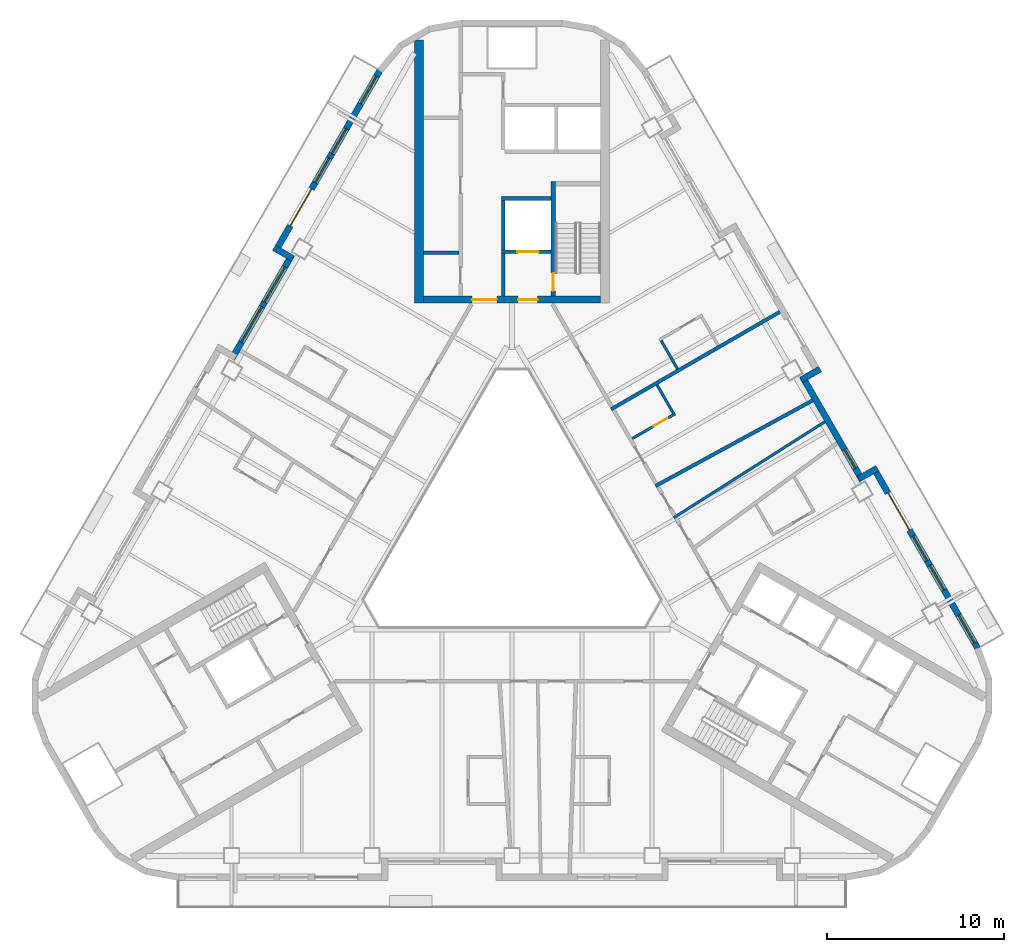
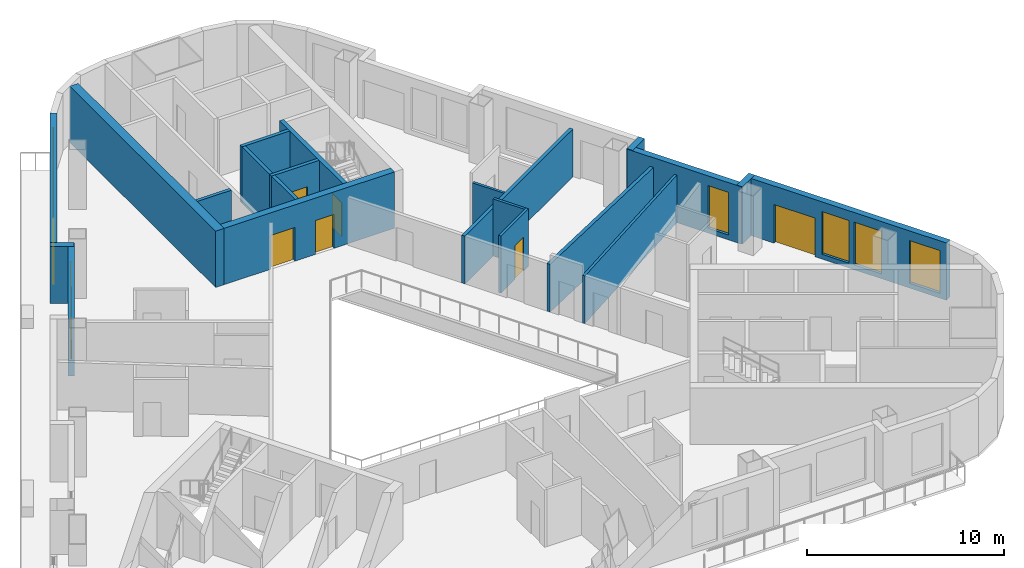
# One storey, part 6 of 14: 21 walls, 9 windows, 7 doors, 16 openings.
"""IFC4 building model written with IfcOpenShell, lengths in metres."""

from ifc_helpers import new_model, si_unit, direction, frame, frame_2d, origin, place, context, subcontext, project, spatial, rectangle, extrude, material, layer, layer_set, type_object, element, fill, save


model = new_model("IFC4")

# Units and contexts
model_context = context("Model", 3, precision=1e-05, world=origin(), true_north=direction((0.0, 1.0)))
body_context = subcontext(model_context, "Body", "Model", "MODEL_VIEW")
ifc_project = project(units=[si_unit("LENGTHUNIT", "METRE"), si_unit("AREAUNIT", "SQUARE_METRE"), si_unit("VOLUMEUNIT", "CUBIC_METRE"), si_unit("PLANEANGLEUNIT", "RADIAN"), si_unit("MASSUNIT", "GRAM", prefix="KILO")], contexts=[model_context])

# Site, building, storey
site_placement = place(None, origin())
site = spatial("IfcSite", under=ifc_project, at=site_placement, CompositionType="ELEMENT")
building_placement = place(site_placement, origin())
building = spatial("IfcBuilding", under=site, at=building_placement, Name="Apuvela Tower Hotel", CompositionType="ELEMENT")
storey_placement = place(building_placement, frame((0.0, 0.0, 109.39990234375)))
storey = spatial("IfcBuildingStorey", under=building, at=storey_placement, Name="L25", CompositionType="ELEMENT", Elevation=109.39990234375)

# Wall, openings, doors
ifc_material_1 = material(Name="Concrete C50/60", Category="concrete")
ifc_layer_1 = layer(ifc_material_1, 0.39990234375)
ifc_layer_set_1 = layer_set([ifc_layer_1], Name="COR-WALL-CORE-400")
wall_type_1 = type_object("IfcWallType", Name="COR-WALL-CORE-400", PredefinedType="SHEAR", material=ifc_layer_set_1)
wall_1_placement = place(storey_placement, frame((5.0, 13.10009765625, 0.0), z_axis=(0.0, 0.0, 1.0), x_axis=(-1.0, 0.0, 0.0)))
wall_1 = element("IfcWall", 1, at=wall_1_placement, inside=storey, type_object=wall_type_1, Name="Core wall N", PredefinedType="SHEAR", context=body_context, shape_type="SweptSolid", body=[
    extrude(rectangle(XDim=10.0, YDim=0.39990234375, at=frame_2d((5.0, 0.0))), origin(), (0.0, 0.0, 1.0), 3.5),
])
opening_1_placement = place(wall_1_placement, frame((3.550048828125, 0.0, 0.0)))
opening_1 = element("IfcOpeningElement", 2, at=opening_1_placement, cuts=wall_1, Name="Opening N-FD", PredefinedType="OPENING", context=body_context, shape_type="SweptSolid", body=[
    extrude(rectangle(XDim=1.10009765625, YDim=2.10009765625, at=frame_2d((0.550048828125, 1.050048828125))), frame((0.0, 0.2099609375, 0.0), z_axis=(0.0, -1.0, 0.0), x_axis=(1.0, 0.0, 0.0)), (0.0, 0.0, 1.0), 0.419921875),
])
opening_2_placement = place(wall_1_placement, frame((5.85009765625, 0.0, 0.0)))
opening_2 = element("IfcOpeningElement", 3, at=opening_2_placement, cuts=wall_1, Name="Opening N-GD", PredefinedType="OPENING", context=body_context, shape_type="SweptSolid", body=[
    extrude(rectangle(XDim=1.39990234375, YDim=2.10009765625, at=frame_2d((0.699951171875, 1.050048828125))), frame((0.0, 0.2099609375, 0.0), z_axis=(0.0, -1.0, 0.0), x_axis=(1.0, 0.0, 0.0)), (0.0, 0.0, 1.0), 0.419921875),
])
ifc_material_2 = material(Name="Steel fire door, powder coated", Category="steel")
door_type_1 = type_object("IfcDoorType", Name="COR-FD-1100", OperationType="NOTDEFINED", PredefinedType="DOOR", material=ifc_material_2)
door_1_placement = place(opening_1_placement, frame((1.10009765625, 0.0, 0.0), z_axis=(0.0, 0.0, 1.0), x_axis=(-1.0, 0.0, 0.0)))
door_1 = element("IfcDoor", 4, at=door_1_placement, inside=storey, type_object=door_type_1, Name="Firefighting lobby door N-FD", OperationType="SINGLE_SWING_LEFT", OverallHeight=2.10009765625, OverallWidth=1.10009765625, PredefinedType="DOOR", context=body_context, shape_type="SweptSolid", body=[
    extrude(rectangle(XDim=1.10009765625, YDim=2.10009765625, at=frame_2d((0.550048828125, 1.050048828125))), frame((0.0, 0.02490234375, 0.0), z_axis=(0.0, -1.0, 0.0), x_axis=(1.0, 0.0, 0.0)), (0.0, 0.0, 1.0), 0.050048828125),
])
fill(opening_1, door_1)
ifc_material_3 = material(Name="Glazed steel fire door", Category="steel")
door_type_2 = type_object("IfcDoorType", Name="COR-GD-1400", OperationType="DOUBLE_DOOR_SINGLE_SWING", PredefinedType="DOOR", material=ifc_material_3)
door_2_placement = place(opening_2_placement, frame((1.39990234375, 0.0, 0.0), z_axis=(0.0, 0.0, 1.0), x_axis=(-1.0, 0.0, 0.0)))
door_2 = element("IfcDoor", 5, at=door_2_placement, inside=storey, type_object=door_type_2, Name="Lift lobby door N-GD", OperationType="DOUBLE_DOOR_SINGLE_SWING", OverallHeight=2.10009765625, OverallWidth=1.39990234375, PredefinedType="DOOR", context=body_context, shape_type="SweptSolid", body=[
    extrude(rectangle(XDim=1.39990234375, YDim=2.10009765625, at=frame_2d((0.699951171875, 1.050048828125))), frame((0.0, 0.02490234375, 0.0), z_axis=(0.0, -1.0, 0.0), x_axis=(1.0, 0.0, 0.0)), (0.0, 0.0, 1.0), 0.050048828125),
])
fill(opening_2, door_2)

# Walls
ifc_layer_2 = layer(ifc_material_1, 0.5)
ifc_layer_set_2 = layer_set([ifc_layer_2], Name="COR-WALL-CORE-500")
wall_type_2 = type_object("IfcWallType", Name="COR-WALL-CORE-500", PredefinedType="SHEAR", material=ifc_layer_set_2)
wall_2_placement = place(storey_placement, frame((-5.25, 12.89990234375, 0.0), z_axis=(0.0, 0.0, 1.0), x_axis=(0.0, 1.0, 0.0)))
element("IfcWall", 6, at=wall_2_placement, inside=storey, type_object=wall_type_2, Name="Core wall N", PredefinedType="SHEAR", context=body_context, shape_type="SweptSolid", body=[
    extrude(rectangle(XDim=14.8369140625, YDim=0.5, at=frame_2d((7.41845703125, 0.0))), origin(), (0.0, 0.0, 1.0), 3.5),
])
ifc_layer_3 = layer(ifc_material_1, 0.199951171875)
ifc_layer_set_3 = layer_set([ifc_layer_3], Name="COR-WALL-SHAFT-200")
wall_type_3 = type_object("IfcWallType", Name="COR-WALL-SHAFT-200", PredefinedType="SHEAR", material=ifc_layer_set_3)
wall_3_placement = place(storey_placement, frame((2.199951171875, 18.800048828125, 0.0), z_axis=(0.0, 0.0, 1.0), x_axis=(-1.0, 0.0, 0.0)))
element("IfcWall", 7, at=wall_3_placement, inside=storey, type_object=wall_type_3, Name="Shaft wall N", PredefinedType="SHEAR", context=body_context, shape_type="SweptSolid", body=[
    extrude(rectangle(XDim=2.800048828125, YDim=0.199951171875, at=frame_2d((1.39990234375, 0.0))), origin(), (0.0, 0.0, 1.0), 3.5),
])

# Wall, opening, door
wall_4_placement = place(storey_placement, frame((2.199951171875, 15.800048828125, 0.0), z_axis=(0.0, 0.0, 1.0), x_axis=(-1.0, 0.0, 0.0)))
wall_4 = element("IfcWall", 8, at=wall_4_placement, inside=storey, type_object=wall_type_3, Name="Shaft wall N", PredefinedType="SHEAR", context=body_context, shape_type="SweptSolid", body=[
    extrude(rectangle(XDim=2.800048828125, YDim=0.199951171875, at=frame_2d((1.39990234375, 0.0))), origin(), (0.0, 0.0, 1.0), 3.5),
])
opening_3_placement = place(wall_4_placement, frame((0.699951171875, 0.0, 0.0)))
opening_3 = element("IfcOpeningElement", 9, at=opening_3_placement, cuts=wall_4, Name="Opening N-LD-FS1", PredefinedType="OPENING", context=body_context, shape_type="SweptSolid", body=[
    extrude(rectangle(XDim=1.199951171875, YDim=2.10009765625, at=frame_2d((0.60009765625, 1.050048828125))), frame((0.0, 0.10986328125, 0.0), z_axis=(0.0, -1.0, 0.0), x_axis=(1.0, 0.0, 0.0)), (0.0, 0.0, 1.0), 0.219970703125),
])
ifc_material_4 = material(Name="Stainless steel lift landing door", Category="steel")
door_type_3 = type_object("IfcDoorType", Name="COR-LD-1200", OperationType="DOUBLE_DOOR_SLIDING", PredefinedType="DOOR", material=ifc_material_4)
door_3_placement = place(opening_3_placement, origin())
door_3 = element("IfcDoor", 10, at=door_3_placement, inside=storey, type_object=door_type_3, Name="Lift landing door N-LD-FS1", OperationType="DOUBLE_DOOR_SLIDING", OverallHeight=2.10009765625, OverallWidth=1.199951171875, PredefinedType="DOOR", context=body_context, shape_type="SweptSolid", body=[
    extrude(rectangle(XDim=1.199951171875, YDim=2.10009765625, at=frame_2d((0.60009765625, 1.050048828125))), frame((0.0, 0.02490234375, 0.0), z_axis=(0.0, -1.0, 0.0), x_axis=(1.0, 0.0, 0.0)), (0.0, 0.0, 1.0), 0.050048828125),
])
fill(opening_3, door_3)

# Walls
wall_5_placement = place(storey_placement, frame((-0.5, 15.89990234375, 0.0), z_axis=(0.0, 0.0, 1.0), x_axis=(0.0, 1.0, 0.0)))
element("IfcWall", 11, at=wall_5_placement, inside=storey, type_object=wall_type_3, Name="Shaft wall N", PredefinedType="SHEAR", context=body_context, shape_type="SweptSolid", body=[
    extrude(rectangle(XDim=2.800048828125, YDim=0.199951171875, at=frame_2d((1.39990234375, 0.0))), origin(), (0.0, 0.0, 1.0), 3.5),
])
wall_6_placement = place(storey_placement, frame((-0.5, 13.300048828125, 0.0), z_axis=(0.0, 0.0, 1.0), x_axis=(0.0, 1.0, 0.0)))
element("IfcWall", 12, at=wall_6_placement, inside=storey, type_object=wall_type_3, Name="Shaft wall N", PredefinedType="SHEAR", context=body_context, shape_type="SweptSolid", body=[
    extrude(rectangle(XDim=2.39990234375, YDim=0.199951171875, at=frame_2d((1.199951171875, 0.0))), origin(), (0.0, 0.0, 1.0), 3.5),
])
wall_7_placement = place(storey_placement, frame((-3.0, 15.739990234375, 0.0), z_axis=(0.0, 0.0, 1.0), x_axis=(-1.0, 0.0, 0.0)))
element("IfcWall", 13, at=wall_7_placement, inside=storey, type_object=wall_type_3, Name="Shaft wall N", PredefinedType="SHEAR", context=body_context, shape_type="SweptSolid", body=[
    extrude(rectangle(XDim=2.0, YDim=0.199951171875, at=frame_2d((1.0, 0.0))), origin(), (0.0, 0.0, 1.0), 3.5),
])

# Wall, opening, door
ifc_layer_4 = layer(ifc_material_1, 0.25)
ifc_layer_set_4 = layer_set([ifc_layer_4], Name="COR-WALL-STAIR-250")
wall_type_4 = type_object("IfcWallType", Name="COR-WALL-STAIR-250", PredefinedType="SHEAR", material=ifc_layer_set_4)
wall_8_placement = place(storey_placement, frame((2.324951171875, 13.300048828125, 0.0), z_axis=(0.0, 0.0, 1.0), x_axis=(0.0, 1.0, 0.0)))
wall_8 = element("IfcWall", 14, at=wall_8_placement, inside=storey, type_object=wall_type_4, Name="Stair wall N", PredefinedType="SHEAR", context=body_context, shape_type="SweptSolid", body=[
    extrude(rectangle(XDim=6.449951171875, YDim=0.25, at=frame_2d((3.22509765625, 0.0))), origin(), (0.0, 0.0, 1.0), 3.5),
])
opening_4_placement = place(wall_8_placement, frame((0.300048828125, 0.0, 0.0)))
opening_4 = element("IfcOpeningElement", 15, at=opening_4_placement, cuts=wall_8, Name="Opening N-SD", PredefinedType="OPENING", context=body_context, shape_type="SweptSolid", body=[
    extrude(rectangle(XDim=1.0, YDim=2.10009765625, at=frame_2d((0.5, 1.050048828125))), frame((0.0, 0.135009765625, 0.0), z_axis=(0.0, -1.0, 0.0), x_axis=(1.0, 0.0, 0.0)), (0.0, 0.0, 1.0), 0.27001953125),
])
door_type_4 = type_object("IfcDoorType", Name="COR-SD-1000", OperationType="NOTDEFINED", PredefinedType="DOOR", material=ifc_material_2)
door_4_placement = place(opening_4_placement, frame((1.0, 0.0, 0.0), z_axis=(0.0, 0.0, 1.0), x_axis=(-1.0, 0.0, 0.0)))
door_4 = element("IfcDoor", 16, at=door_4_placement, inside=storey, type_object=door_type_4, Name="Stair door N-SD", OperationType="SINGLE_SWING_LEFT", OverallHeight=2.10009765625, OverallWidth=1.0, PredefinedType="DOOR", context=body_context, shape_type="SweptSolid", body=[
    extrude(rectangle(XDim=1.0, YDim=2.10009765625, at=frame_2d((0.5, 1.050048828125))), frame((0.0, 0.02490234375, 0.0), z_axis=(0.0, -1.0, 0.0), x_axis=(1.0, 0.0, 0.0)), (0.0, 0.0, 1.0), 0.050048828125),
])
fill(opening_4, door_4)

# Wall, openings, door, windows
ifc_material_5 = material(Name="Concrete C40/50, dark pigmented precast panel", Category="concrete")
ifc_layer_5 = layer(ifc_material_5, 0.35009765625)
ifc_layer_set_5 = layer_set([ifc_layer_5], Name="ENV-WALL-350")
wall_type_5 = type_object("IfcWallType", Name="ENV-WALL-350", PredefinedType="SOLIDWALL", material=ifc_layer_set_5)
wall_9_placement = place(storey_placement, frame((-7.440673828125, 26.0224609375, 0.0), z_axis=(0.0, 0.0, 1.0), x_axis=(-0.499992533062, -0.86602971478, 0.0)))
wall_9 = element("IfcWall", 17, at=wall_9_placement, inside=storey, type_object=wall_type_5, Name="External wall L25-01", PredefinedType="SOLIDWALL", context=body_context, shape_type="SweptSolid", body=[
    extrude(rectangle(XDim=11.815673828125, YDim=0.35009765625, at=frame_2d((5.90771484375, 0.0))), origin(), (0.0, 0.0, 1.0), 3.550048828125),
])
opening_5_placement = place(wall_9_placement, frame((0.381103515625, 0.0, 0.300048828125)))
opening_5 = element("IfcOpeningElement", 18, at=opening_5_placement, cuts=wall_9, Name="Opening WN18", PredefinedType="OPENING", context=body_context, shape_type="SweptSolid", body=[
    extrude(rectangle(XDim=1.800048828125, YDim=2.64990234375, at=frame_2d((0.89990234375, 1.324951171875))), frame((0.0, 0.18505859375, 0.0), z_axis=(0.0, -1.0, 0.0), x_axis=(1.0, 0.0, 0.0)), (0.0, 0.0, 1.0), 0.3701171875),
])
opening_6_placement = place(wall_9_placement, frame((7.7158203125, 0.0, 0.0)))
opening_6 = element("IfcOpeningElement", 19, at=opening_6_placement, cuts=wall_9, Name="Opening BD24", PredefinedType="OPENING", context=body_context, shape_type="SweptSolid", body=[
    extrude(rectangle(XDim=2.39990234375, YDim=2.39990234375, at=frame_2d((1.199951171875, 1.199951171875))), frame((0.0, 0.18505859375, 0.0), z_axis=(0.0, -1.0, 0.0), x_axis=(1.0, 0.0, 0.0)), (0.0, 0.0, 1.0), 0.3701171875),
])
opening_7_placement = place(wall_9_placement, frame((3.815185546875, 0.0, 0.300048828125)))
opening_7 = element("IfcOpeningElement", 20, at=opening_7_placement, cuts=wall_9, Name="Opening WN16", PredefinedType="OPENING", context=body_context, shape_type="SweptSolid", body=[
    extrude(rectangle(XDim=1.60009765625, YDim=2.64990234375, at=frame_2d((0.800048828125, 1.324951171875))), frame((0.0, 0.18505859375, 0.0), z_axis=(0.0, -1.0, 0.0), x_axis=(1.0, 0.0, 0.0)), (0.0, 0.0, 1.0), 0.3701171875),
])
opening_8_placement = place(wall_9_placement, frame((5.715087890625, 0.0, 0.300048828125)))
opening_8 = element("IfcOpeningElement", 21, at=opening_8_placement, cuts=wall_9, Name="Opening WN16", PredefinedType="OPENING", context=body_context, shape_type="SweptSolid", body=[
    extrude(rectangle(XDim=1.60009765625, YDim=2.64990234375, at=frame_2d((0.800048828125, 1.324951171875))), frame((0.0, 0.18505859375, 0.0), z_axis=(0.0, -1.0, 0.0), x_axis=(1.0, 0.0, 0.0)), (0.0, 0.0, 1.0), 0.3701171875),
])
ifc_material_6 = material(Name="Aluminium 6063-T6, dark bronze anodised frame with dark tinted laminated glass", Category="aluminium")
door_type_5 = type_object("IfcDoorType", Name="ENV-DOOR-BALCONY-2400x2400", OperationType="SLIDING_TO_LEFT", PredefinedType="DOOR", material=ifc_material_6)
door_5_placement = place(opening_6_placement, frame((2.39990234375, 0.0, 0.0), z_axis=(0.0, 0.0, 1.0), x_axis=(-1.0, 0.0, 0.0)))
door_5 = element("IfcDoor", 22, at=door_5_placement, inside=storey, type_object=door_type_5, Name="Balcony door BD24", OperationType="SLIDING_TO_LEFT", OverallHeight=2.39990234375, OverallWidth=2.39990234375, PredefinedType="DOOR", context=body_context, shape_type="SweptSolid", body=[
    extrude(rectangle(XDim=2.39990234375, YDim=2.39990234375, at=frame_2d((1.199951171875, 1.199951171875))), frame((0.0, 0.02490234375, 0.0), z_axis=(0.0, -1.0, 0.0), x_axis=(1.0, 0.0, 0.0)), (0.0, 0.0, 1.0), 0.050048828125),
])
fill(opening_6, door_5)
ifc_material_7 = material(Name="Glass, dark tinted laminated insulated glazing unit", Category="glass")
window_type_1 = type_object("IfcWindowType", Name="ENV-WIN-1600x2650", PartitioningType="SINGLE_PANEL", PredefinedType="WINDOW", material=ifc_material_7)
window_1_placement = place(opening_7_placement, origin())
window_1 = element("IfcWindow", 23, at=window_1_placement, inside=storey, type_object=window_type_1, Name="Window WN16", OverallHeight=2.64990234375, OverallWidth=1.60009765625, PartitioningType="SINGLE_PANEL", PredefinedType="WINDOW", context=body_context, shape_type="SweptSolid", body=[
    extrude(rectangle(XDim=1.60009765625, YDim=2.64990234375, at=frame_2d((0.800048828125, 1.324951171875))), frame((0.0, 0.030029296875, 0.0), z_axis=(0.0, -1.0, 0.0), x_axis=(1.0, 0.0, 0.0)), (0.0, 0.0, 1.0), 0.06005859375),
])
fill(opening_7, window_1)
window_2_placement = place(opening_8_placement, origin())
window_2 = element("IfcWindow", 24, at=window_2_placement, inside=storey, type_object=window_type_1, Name="Window WN16", OverallHeight=2.64990234375, OverallWidth=1.60009765625, PartitioningType="SINGLE_PANEL", PredefinedType="WINDOW", context=body_context, shape_type="SweptSolid", body=[
    extrude(rectangle(XDim=1.60009765625, YDim=2.64990234375, at=frame_2d((0.800048828125, 1.324951171875))), frame((0.0, 0.030029296875, 0.0), z_axis=(0.0, -1.0, 0.0), x_axis=(1.0, 0.0, 0.0)), (0.0, 0.0, 1.0), 0.06005859375),
])
fill(opening_8, window_2)
window_type_2 = type_object("IfcWindowType", Name="ENV-WIN-1800x2650", PartitioningType="SINGLE_PANEL", PredefinedType="WINDOW", material=ifc_material_7)
window_3_placement = place(opening_5_placement, origin())
window_3 = element("IfcWindow", 25, at=window_3_placement, inside=storey, type_object=window_type_2, Name="Window WN18", OverallHeight=2.64990234375, OverallWidth=1.800048828125, PartitioningType="SINGLE_PANEL", PredefinedType="WINDOW", context=body_context, shape_type="SweptSolid", body=[
    extrude(rectangle(XDim=1.800048828125, YDim=2.64990234375, at=frame_2d((0.89990234375, 1.324951171875))), frame((0.0, 0.030029296875, 0.0), z_axis=(0.0, -1.0, 0.0), x_axis=(1.0, 0.0, 0.0)), (0.0, 0.0, 1.0), 0.06005859375),
])
fill(opening_5, window_3)

# Wall
wall_10_placement = place(storey_placement, frame((-13.41259765625, 16.02880859375, 0.0), z_axis=(0.0, 0.0, 1.0), x_axis=(0.866005645448, -0.500034220881, 0.0)))
element("IfcWall", 26, at=wall_10_placement, inside=storey, type_object=wall_type_5, Name="External wall L25-02", PredefinedType="SOLIDWALL", context=body_context, shape_type="SweptSolid", body=[
    extrude(rectangle(XDim=1.22021484375, YDim=0.35009765625, at=frame_2d((0.610107421875, 0.0))), origin(), (0.0, 0.0, 1.0), 3.550048828125),
])

# Wall, openings, windows
wall_11_placement = place(storey_placement, frame((-12.408935546875, 15.616943359375, 0.0), z_axis=(0.0, 0.0, 1.0), x_axis=(-0.500003597184, -0.866023326939, 0.0)))
wall_11 = element("IfcWall", 27, at=wall_11_placement, inside=storey, type_object=wall_type_5, Name="External wall L25-03", PredefinedType="SOLIDWALL", context=body_context, shape_type="SweptSolid", body=[
    extrude(rectangle(XDim=6.740234375, YDim=0.35009765625, at=frame_2d((3.3701171875, 0.0))), origin(), (0.0, 0.0, 1.0), 3.550048828125),
])
opening_9_placement = place(wall_11_placement, frame((0.77001953125, 0.0, 0.300048828125)))
opening_9 = element("IfcOpeningElement", 28, at=opening_9_placement, cuts=wall_11, Name="Opening WN23", PredefinedType="OPENING", context=body_context, shape_type="SweptSolid", body=[
    extrude(rectangle(XDim=2.300048828125, YDim=2.64990234375, at=frame_2d((1.14990234375, 1.324951171875))), frame((0.0, 0.18505859375, 0.0), z_axis=(0.0, -1.0, 0.0), x_axis=(1.0, 0.0, 0.0)), (0.0, 0.0, 1.0), 0.3701171875),
])
opening_10_placement = place(wall_11_placement, frame((3.3701171875, 0.0, 0.300048828125)))
opening_10 = element("IfcOpeningElement", 29, at=opening_10_placement, cuts=wall_11, Name="Opening WN23", PredefinedType="OPENING", context=body_context, shape_type="SweptSolid", body=[
    extrude(rectangle(XDim=2.300048828125, YDim=2.64990234375, at=frame_2d((1.14990234375, 1.324951171875))), frame((0.0, 0.18505859375, 0.0), z_axis=(0.0, -1.0, 0.0), x_axis=(1.0, 0.0, 0.0)), (0.0, 0.0, 1.0), 0.3701171875),
])
window_type_3 = type_object("IfcWindowType", Name="ENV-WIN-2300x2650", PartitioningType="SINGLE_PANEL", PredefinedType="WINDOW", material=ifc_material_7)
window_4_placement = place(opening_9_placement, origin())
window_4 = element("IfcWindow", 30, at=window_4_placement, inside=storey, type_object=window_type_3, Name="Window WN23", OverallHeight=2.64990234375, OverallWidth=2.300048828125, PartitioningType="SINGLE_PANEL", PredefinedType="WINDOW", context=body_context, shape_type="SweptSolid", body=[
    extrude(rectangle(XDim=2.300048828125, YDim=2.64990234375, at=frame_2d((1.14990234375, 1.324951171875))), frame((0.0, 0.030029296875, 0.0), z_axis=(0.0, -1.0, 0.0), x_axis=(1.0, 0.0, 0.0)), (0.0, 0.0, 1.0), 0.06005859375),
])
fill(opening_9, window_4)
window_5_placement = place(opening_10_placement, origin())
window_5 = element("IfcWindow", 31, at=window_5_placement, inside=storey, type_object=window_type_3, Name="Window WN23", OverallHeight=2.64990234375, OverallWidth=2.300048828125, PartitioningType="SINGLE_PANEL", PredefinedType="WINDOW", context=body_context, shape_type="SweptSolid", body=[
    extrude(rectangle(XDim=2.300048828125, YDim=2.64990234375, at=frame_2d((1.14990234375, 1.324951171875))), frame((0.0, 0.030029296875, 0.0), z_axis=(0.0, -1.0, 0.0), x_axis=(1.0, 0.0, 0.0)), (0.0, 0.0, 1.0), 0.06005859375),
])
fill(opening_10, window_5)

# Wall, openings, door, windows
wall_12_placement = place(storey_placement, frame((26.256591796875, -6.5673828125, 0.0), z_axis=(0.0, 0.0, 1.0), x_axis=(-0.500023526245, 0.866011820475, 0.0)))
wall_12 = element("IfcWall", 32, at=wall_12_placement, inside=storey, type_object=wall_type_5, Name="External wall L25-33", PredefinedType="SOLIDWALL", context=body_context, shape_type="SweptSolid", body=[
    extrude(rectangle(XDim=11.81591796875, YDim=0.35009765625, at=frame_2d((5.907958984375, 0.0))), origin(), (0.0, 0.0, 1.0), 3.550048828125),
])
opening_11_placement = place(wall_12_placement, frame((0.380126953125, 0.0, 0.300048828125)))
opening_11 = element("IfcOpeningElement", 33, at=opening_11_placement, cuts=wall_12, Name="Opening WN18", PredefinedType="OPENING", context=body_context, shape_type="SweptSolid", body=[
    extrude(rectangle(XDim=1.800048828125, YDim=2.64990234375, at=frame_2d((0.89990234375, 1.324951171875))), frame((0.0, 0.18505859375, 0.0), z_axis=(0.0, -1.0, 0.0), x_axis=(1.0, 0.0, 0.0)), (0.0, 0.0, 1.0), 0.3701171875),
])
opening_12_placement = place(wall_12_placement, frame((7.71630859375, 0.0, 0.0)))
opening_12 = element("IfcOpeningElement", 34, at=opening_12_placement, cuts=wall_12, Name="Opening BD24", PredefinedType="OPENING", context=body_context, shape_type="SweptSolid", body=[
    extrude(rectangle(XDim=2.39990234375, YDim=2.39990234375, at=frame_2d((1.199951171875, 1.199951171875))), frame((0.0, 0.18505859375, 0.0), z_axis=(0.0, -1.0, 0.0), x_axis=(1.0, 0.0, 0.0)), (0.0, 0.0, 1.0), 0.3701171875),
])
opening_13_placement = place(wall_12_placement, frame((3.81591796875, 0.0, 0.300048828125)))
opening_13 = element("IfcOpeningElement", 35, at=opening_13_placement, cuts=wall_12, Name="Opening WN16", PredefinedType="OPENING", context=body_context, shape_type="SweptSolid", body=[
    extrude(rectangle(XDim=1.60009765625, YDim=2.64990234375, at=frame_2d((0.800048828125, 1.324951171875))), frame((0.0, 0.18505859375, 0.0), z_axis=(0.0, -1.0, 0.0), x_axis=(1.0, 0.0, 0.0)), (0.0, 0.0, 1.0), 0.3701171875),
])
opening_14_placement = place(wall_12_placement, frame((5.7158203125, 0.0, 0.300048828125)))
opening_14 = element("IfcOpeningElement", 36, at=opening_14_placement, cuts=wall_12, Name="Opening WN16", PredefinedType="OPENING", context=body_context, shape_type="SweptSolid", body=[
    extrude(rectangle(XDim=1.60009765625, YDim=2.64990234375, at=frame_2d((0.800048828125, 1.324951171875))), frame((0.0, 0.18505859375, 0.0), z_axis=(0.0, -1.0, 0.0), x_axis=(1.0, 0.0, 0.0)), (0.0, 0.0, 1.0), 0.3701171875),
])
door_6_placement = place(opening_12_placement, frame((2.39990234375, 0.0, 0.0), z_axis=(0.0, 0.0, 1.0), x_axis=(-1.0, 0.0, 0.0)))
door_6 = element("IfcDoor", 37, at=door_6_placement, inside=storey, type_object=door_type_5, Name="Balcony door BD24", OperationType="SLIDING_TO_LEFT", OverallHeight=2.39990234375, OverallWidth=2.39990234375, PredefinedType="DOOR", context=body_context, shape_type="SweptSolid", body=[
    extrude(rectangle(XDim=2.39990234375, YDim=2.39990234375, at=frame_2d((1.199951171875, 1.199951171875))), frame((0.0, 0.02490234375, 0.0), z_axis=(0.0, -1.0, 0.0), x_axis=(1.0, 0.0, 0.0)), (0.0, 0.0, 1.0), 0.050048828125),
])
fill(opening_12, door_6)
window_6_placement = place(opening_13_placement, origin())
window_6 = element("IfcWindow", 38, at=window_6_placement, inside=storey, type_object=window_type_1, Name="Window WN16", OverallHeight=2.64990234375, OverallWidth=1.60009765625, PartitioningType="SINGLE_PANEL", PredefinedType="WINDOW", context=body_context, shape_type="SweptSolid", body=[
    extrude(rectangle(XDim=1.60009765625, YDim=2.64990234375, at=frame_2d((0.800048828125, 1.324951171875))), frame((0.0, 0.030029296875, 0.0), z_axis=(0.0, -1.0, 0.0), x_axis=(1.0, 0.0, 0.0)), (0.0, 0.0, 1.0), 0.06005859375),
])
fill(opening_13, window_6)
window_7_placement = place(opening_14_placement, origin())
window_7 = element("IfcWindow", 39, at=window_7_placement, inside=storey, type_object=window_type_1, Name="Window WN16", OverallHeight=2.64990234375, OverallWidth=1.60009765625, PartitioningType="SINGLE_PANEL", PredefinedType="WINDOW", context=body_context, shape_type="SweptSolid", body=[
    extrude(rectangle(XDim=1.60009765625, YDim=2.64990234375, at=frame_2d((0.800048828125, 1.324951171875))), frame((0.0, 0.030029296875, 0.0), z_axis=(0.0, -1.0, 0.0), x_axis=(1.0, 0.0, 0.0)), (0.0, 0.0, 1.0), 0.06005859375),
])
fill(opening_14, window_7)
window_8_placement = place(opening_11_placement, origin())
window_8 = element("IfcWindow", 40, at=window_8_placement, inside=storey, type_object=window_type_2, Name="Window WN18", OverallHeight=2.64990234375, OverallWidth=1.800048828125, PartitioningType="SINGLE_PANEL", PredefinedType="WINDOW", context=body_context, shape_type="SweptSolid", body=[
    extrude(rectangle(XDim=1.800048828125, YDim=2.64990234375, at=frame_2d((0.89990234375, 1.324951171875))), frame((0.0, 0.030029296875, 0.0), z_axis=(0.0, -1.0, 0.0), x_axis=(1.0, 0.0, 0.0)), (0.0, 0.0, 1.0), 0.06005859375),
])
fill(opening_11, window_8)

# Wall
wall_13_placement = place(storey_placement, frame((20.587646484375, 3.601318359375, 0.0), z_axis=(0.0, 0.0, 1.0), x_axis=(-0.866005645448, -0.500034220881, 0.0)))
element("IfcWall", 41, at=wall_13_placement, inside=storey, type_object=wall_type_5, Name="External wall L25-34", PredefinedType="SOLIDWALL", context=body_context, shape_type="SweptSolid", body=[
    extrude(rectangle(XDim=1.22021484375, YDim=0.35009765625, at=frame_2d((0.610107421875, 0.0))), origin(), (0.0, 0.0, 1.0), 3.550048828125),
])

# Wall, opening, window
wall_14_placement = place(storey_placement, frame((19.72900390625, 2.93798828125, 0.0), z_axis=(0.0, 0.0, 1.0), x_axis=(-0.499976430342, 0.866039011305, 0.0)))
wall_14 = element("IfcWall", 42, at=wall_14_placement, inside=storey, type_object=wall_type_5, Name="External wall L25-35", PredefinedType="SOLIDWALL", context=body_context, shape_type="SweptSolid", body=[
    extrude(rectangle(XDim=6.739990234375, YDim=0.35009765625, at=frame_2d((3.3701171875, 0.0))), origin(), (0.0, 0.0, 1.0), 3.550048828125),
])
opening_15_placement = place(wall_14_placement, frame((0.77001953125, 0.0, 0.300048828125)))
opening_15 = element("IfcOpeningElement", 43, at=opening_15_placement, cuts=wall_14, Name="Opening WN12", PredefinedType="OPENING", context=body_context, shape_type="SweptSolid", body=[
    extrude(rectangle(XDim=1.199951171875, YDim=2.64990234375, at=frame_2d((0.60009765625, 1.324951171875))), frame((0.0, 0.18505859375, 0.0), z_axis=(0.0, -1.0, 0.0), x_axis=(1.0, 0.0, 0.0)), (0.0, 0.0, 1.0), 0.3701171875),
])
window_type_4 = type_object("IfcWindowType", Name="ENV-WIN-1200x2650", PartitioningType="SINGLE_PANEL", PredefinedType="WINDOW", material=ifc_material_7)
window_9_placement = place(opening_15_placement, origin())
window_9 = element("IfcWindow", 44, at=window_9_placement, inside=storey, type_object=window_type_4, Name="Window WN12", OverallHeight=2.64990234375, OverallWidth=1.199951171875, PartitioningType="SINGLE_PANEL", PredefinedType="WINDOW", context=body_context, shape_type="SweptSolid", body=[
    extrude(rectangle(XDim=1.199951171875, YDim=2.64990234375, at=frame_2d((0.60009765625, 1.324951171875))), frame((0.0, 0.030029296875, 0.0), z_axis=(0.0, -1.0, 0.0), x_axis=(1.0, 0.0, 0.0)), (0.0, 0.0, 1.0), 0.06005859375),
])
fill(opening_15, window_9)

# Walls
wall_15_placement = place(storey_placement, frame((16.305908203125, 8.5771484375, 0.0), z_axis=(0.0, 0.0, 1.0), x_axis=(0.866092288191, 0.499884134912, 0.0)))
element("IfcWall", 45, at=wall_15_placement, inside=storey, type_object=wall_type_5, Name="External wall L25-36", PredefinedType="SOLIDWALL", context=body_context, shape_type="SweptSolid", body=[
    extrude(rectangle(XDim=1.219970703125, YDim=0.35009765625, at=frame_2d((0.60986328125, 0.0))), origin(), (0.0, 0.0, 1.0), 3.550048828125),
])
ifc_material_8 = material(Name="Gypsum board partition on twin steel stud", Category="steel")
ifc_layer_6 = layer(ifc_material_8, 0.199951171875)
ifc_layer_set_6 = layer_set([ifc_layer_6], Name="GST-PW1")
wall_type_6 = type_object("IfcWallType", Name="GST-PW1", PredefinedType="PARTITIONING", material=ifc_layer_set_6)
wall_16_placement = place(storey_placement, frame((16.94140625, 7.4169921875, 0.0), z_axis=(0.0, 0.0, 1.0), x_axis=(-0.878270052011, -0.478164946164, 0.0)))
element("IfcWall", 46, at=wall_16_placement, inside=storey, type_object=wall_type_6, Name="L25 partition 04", PredefinedType="PARTITIONING", context=body_context, shape_type="SweptSolid", body=[
    extrude(rectangle(XDim=10.08349609375, YDim=0.199951171875, at=frame_2d((5.041748046875, 0.0))), origin(), (0.0, 0.0, 1.0), 2.960205078125),
])
wall_17_placement = place(storey_placement, frame((15.096923828125, 12.411376953125, 0.0), z_axis=(0.0, 0.0, 1.0), x_axis=(-0.866027479907, -0.499996404033, 0.0)))
element("IfcWall", 47, at=wall_17_placement, inside=storey, type_object=wall_type_6, Name="L25 partition 05", PredefinedType="PARTITIONING", context=body_context, shape_type="SweptSolid", body=[
    extrude(rectangle(XDim=10.97998046875, YDim=0.199951171875, at=frame_2d((5.489990234375, 0.0))), origin(), (0.0, 0.0, 1.0), 2.960205078125),
])
ifc_material_9 = material(Name="Moisture-resistant gypsum board wet wall on steel stud", Category="steel")
ifc_layer_7 = layer(ifc_material_9, 0.14990234375)
ifc_layer_set_7 = layer_set([ifc_layer_7], Name="GST-PW3")
wall_type_7 = type_object("IfcWallType", Name="GST-PW3", PredefinedType="PARTITIONING", material=ifc_layer_set_7)
wall_18_placement = place(storey_placement, frame((17.634033203125, 6.217041015625, 0.0), z_axis=(0.0, 0.0, 1.0), x_axis=(-0.844171272136, -0.536073561463, 0.0)))
element("IfcWall", 48, at=wall_18_placement, inside=storey, type_object=wall_type_7, Name="L25 partition 23", PredefinedType="PARTITIONING", context=body_context, shape_type="SweptSolid", body=[
    extrude(rectangle(XDim=10.089111328125, YDim=0.14990234375, at=frame_2d((5.04443359375, 0.0))), origin(), (0.0, 0.0, 1.0), 2.9501953125),
])

# Wall, opening, door
wall_19_placement = place(storey_placement, frame((6.773681640625, 5.267578125, 0.0), z_axis=(0.0, 0.0, 1.0), x_axis=(0.866034573852, 0.49998411664, 0.0)))
wall_19 = element("IfcWall", 49, at=wall_19_placement, inside=storey, type_object=wall_type_7, Name="L25 partition 27", PredefinedType="PARTITIONING", context=body_context, shape_type="SweptSolid", body=[
    extrude(rectangle(XDim=2.7998046875, YDim=0.14990234375, at=frame_2d((1.39990234375, 0.0))), origin(), (0.0, 0.0, 1.0), 3.550048828125),
])
opening_16_placement = place(wall_19_placement, frame((1.39990234375, 0.0, 0.0)))
opening_16 = element("IfcOpeningElement", 50, at=opening_16_placement, cuts=wall_19, Name="Opening GD09-11", PredefinedType="OPENING", context=body_context, shape_type="SweptSolid", body=[
    extrude(rectangle(XDim=0.89990234375, YDim=2.10009765625, at=frame_2d((0.449951171875, 1.050048828125))), frame((0.0, 0.0849609375, 0.0), z_axis=(0.0, -1.0, 0.0), x_axis=(1.0, 0.0, 0.0)), (0.0, 0.0, 1.0), 0.169921875),
])
ifc_material_10 = material(Name="Timber door leaf in steel frame", Category="steel")
door_type_6 = type_object("IfcDoorType", Name="GST-D2", OperationType="NOTDEFINED", PredefinedType="DOOR", material=ifc_material_10)
door_7_placement = place(opening_16_placement, origin())
door_7 = element("IfcDoor", 51, at=door_7_placement, inside=storey, type_object=door_type_6, Name="Door L25-11", OperationType="SINGLE_SWING_RIGHT", OverallHeight=2.10009765625, OverallWidth=0.89990234375, PredefinedType="DOOR", context=body_context, shape_type="SweptSolid", body=[
    extrude(rectangle(XDim=0.89990234375, YDim=2.10009765625, at=frame_2d((0.449951171875, 1.050048828125))), frame((0.0, 0.02490234375, 0.0), z_axis=(0.0, -1.0, 0.0), x_axis=(1.0, 0.0, 0.0)), (0.0, 0.0, 1.0), 0.050048828125),
])
fill(opening_16, door_7)

# Walls
wall_20_placement = place(storey_placement, frame((9.09619140625, 6.695068359375, 0.0), z_axis=(0.0, 0.0, 1.0), x_axis=(-0.500042316284, 0.866000971088, 0.0)))
element("IfcWall", 52, at=wall_20_placement, inside=storey, type_object=wall_type_7, Name="L25 partition 28", PredefinedType="PARTITIONING", context=body_context, shape_type="SweptSolid", body=[
    extrude(rectangle(XDim=1.849853515625, YDim=0.14990234375, at=frame_2d((0.9248046875, 0.0))), origin(), (0.0, 0.0, 1.0), 3.550048828125),
])
wall_21_placement = place(storey_placement, frame((9.326904296875, 9.1953125, 0.0), z_axis=(0.0, 0.0, 1.0), x_axis=(-0.499985172903, 0.866033964044, 0.0)))
element("IfcWall", 53, at=wall_21_placement, inside=storey, type_object=wall_type_7, Name="L25 partition 32", PredefinedType="PARTITIONING", context=body_context, shape_type="SweptSolid", body=[
    extrude(rectangle(XDim=1.85009765625, YDim=0.14990234375, at=frame_2d((0.925048828125, 0.0))), origin(), (0.0, 0.0, 1.0), 2.9501953125),
])

save(model, "model.ifc")
